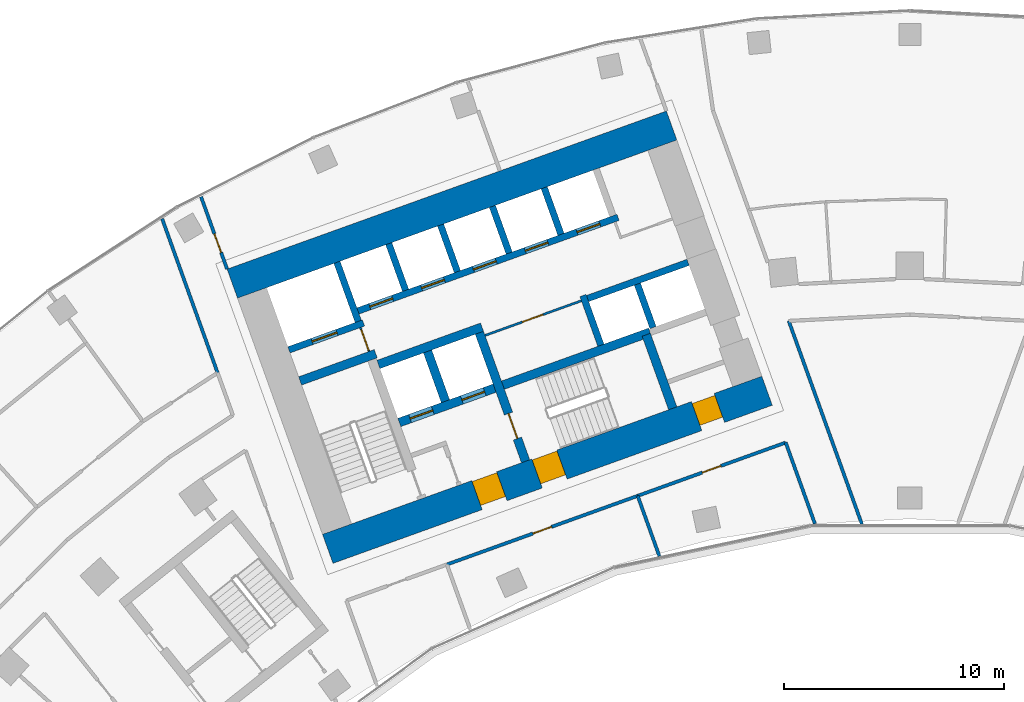
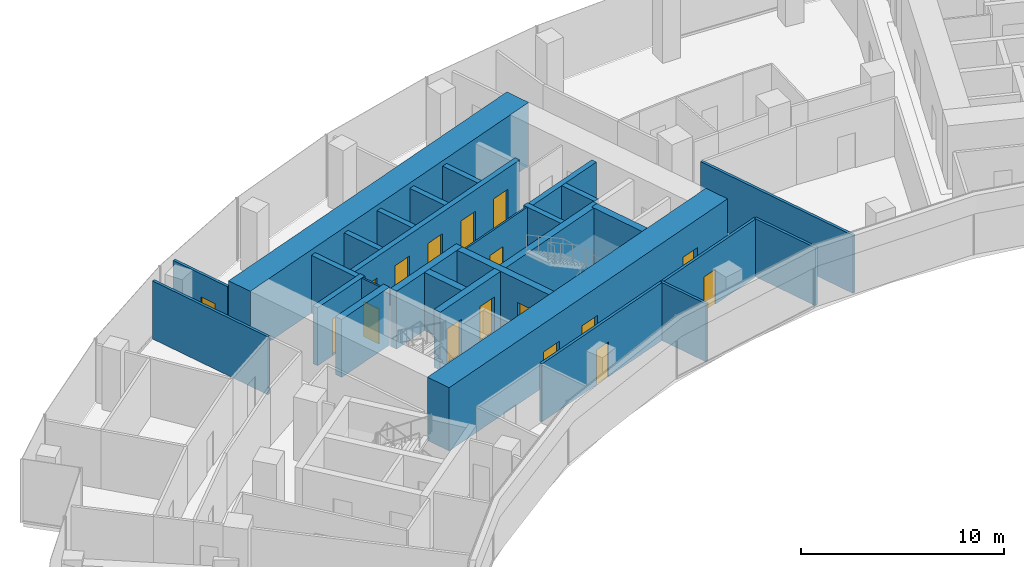
# One storey, part 14 of 20: 27 walls, 17 doors, 17 openings.
"""IFC4 building model written with IfcOpenShell, lengths in metres."""

from ifc_helpers import new_model, si_unit, direction, frame, frame_2d, origin, place, context, subcontext, project, spatial, rectangle, extrude, material, layer, layer_set, type_object, element, fill, save


model = new_model("IFC4")

# Units and contexts
model_context = context("Model", 3, precision=1e-05, world=origin(), true_north=direction((0.0, 1.0)))
body_context = subcontext(model_context, "Body", "Model", "MODEL_VIEW")
ifc_project = project(units=[si_unit("LENGTHUNIT", "METRE"), si_unit("AREAUNIT", "SQUARE_METRE"), si_unit("VOLUMEUNIT", "CUBIC_METRE"), si_unit("PLANEANGLEUNIT", "RADIAN"), si_unit("MASSUNIT", "GRAM", prefix="KILO")], contexts=[model_context])

# Site, building, storey
site_placement = place(None, origin())
site = spatial("IfcSite", under=ifc_project, at=site_placement, CompositionType="ELEMENT")
building_placement = place(site_placement, origin())
building = spatial("IfcBuilding", under=site, at=building_placement, Name="Stone Belt Terrace Tower", CompositionType="ELEMENT")
storey_placement = place(building_placement, frame((0.0, 0.0, 170.60009765625)))
storey = spatial("IfcBuildingStorey", under=building, at=storey_placement, Name="L41", CompositionType="ELEMENT", Elevation=170.60009765625)

# Wall, opening, door
ifc_material_1 = material(Name="Plasterboard partition")
ifc_layer_1 = layer(ifc_material_1, 0.10009765625)
ifc_layer_set_1 = layer_set([ifc_layer_1], Name="Core partition 100")
wall_type_1 = type_object("IfcWallType", Name="Core partition 100", PredefinedType="PARTITIONING", material=ifc_layer_set_1)
wall_1_placement = place(storey_placement, frame((-24.555908203125, 51.10400390625, 0.0), z_axis=(0.0, 0.0, 1.0), x_axis=(-0.338621735342, 0.94092258999, 0.0)))
wall_1 = element("IfcWall", 1, at=wall_1_placement, inside=storey, type_object=wall_type_1, Name="Core A wall", PredefinedType="PARTITIONING", context=body_context, shape_type="SweptSolid", body=[
    extrude(rectangle(XDim=1.14990234375, YDim=0.10009765625, at=frame_2d((0.574951171875, 0.0))), origin(), (0.0, 0.0, 1.0), 3.47998046875),
])
opening_1_placement = place(wall_1_placement, frame((0.050048828125, 0.0, 0.0)))
opening_1 = element("IfcOpeningElement", 2, at=opening_1_placement, cuts=wall_1, Name="Opening L41-C03", PredefinedType="OPENING", context=body_context, shape_type="SweptSolid", body=[
    extrude(rectangle(XDim=1.0, YDim=2.10009765625, at=frame_2d((0.5, 1.050048828125))), frame((0.0, 0.06005859375, 0.0), z_axis=(0.0, -1.0, 0.0), x_axis=(1.0, 0.0, 0.0)), (0.0, 0.0, 1.0), 0.1201171875),
])
ifc_material_2 = material(Name="Timber door leaf", Category="wood")
door_type_1 = type_object("IfcDoorType", Name="Core room door 1000", OperationType="SINGLE_SWING_LEFT", PredefinedType="DOOR", material=ifc_material_2)
door_1_placement = place(opening_1_placement, origin())
door_1 = element("IfcDoor", 3, at=door_1_placement, inside=storey, type_object=door_type_1, Name="Service lift lobby door core A", OperationType="SINGLE_SWING_RIGHT", OverallHeight=2.10009765625, OverallWidth=1.0, PredefinedType="DOOR", context=body_context, shape_type="SweptSolid", body=[
    extrude(rectangle(XDim=1.0, YDim=2.10009765625, at=frame_2d((0.5, 1.050048828125))), frame((0.0, 0.02490234375, 0.0), z_axis=(0.0, -1.0, 0.0), x_axis=(1.0, 0.0, 0.0)), (0.0, 0.0, 1.0), 0.050048828125),
])
fill(opening_1, door_1)

wall_2_placement = place(storey_placement, frame((-19.29052734375, 51.829833984375, 0.0), z_axis=(0.0, 0.0, 1.0), x_axis=(0.940930240745, 0.338600475563, 0.0)))
wall_2 = element("IfcWall", 4, at=wall_2_placement, inside=storey, type_object=wall_type_1, Name="Core A wall", PredefinedType="PARTITIONING", context=body_context, shape_type="SweptSolid", body=[
    extrude(rectangle(XDim=4.64990234375, YDim=0.10009765625, at=frame_2d((2.324951171875, 0.0))), origin(), (0.0, 0.0, 1.0), 3.47998046875),
])
opening_2_placement = place(wall_2_placement, frame((1.800048828125, 0.0, 0.0)))
opening_2 = element("IfcOpeningElement", 5, at=opening_2_placement, cuts=wall_2, Name="Opening L41-C02", PredefinedType="OPENING", context=body_context, shape_type="SweptSolid", body=[
    extrude(rectangle(XDim=1.0, YDim=2.10009765625, at=frame_2d((0.5, 1.050048828125))), frame((0.0, 0.06005859375, 0.0), z_axis=(0.0, -1.0, 0.0), x_axis=(1.0, 0.0, 0.0)), (0.0, 0.0, 1.0), 0.1201171875),
])
door_2_placement = place(opening_2_placement, origin())
door_2 = element("IfcDoor", 6, at=door_2_placement, inside=storey, type_object=door_type_1, Name="Door to Meeting store core A", OperationType="SINGLE_SWING_RIGHT", OverallHeight=2.10009765625, OverallWidth=1.0, PredefinedType="DOOR", context=body_context, shape_type="SweptSolid", body=[
    extrude(rectangle(XDim=1.0, YDim=2.10009765625, at=frame_2d((0.5, 1.050048828125))), frame((0.0, 0.02490234375, 0.0), z_axis=(0.0, -1.0, 0.0), x_axis=(1.0, 0.0, 0.0)), (0.0, 0.0, 1.0), 0.050048828125),
])
fill(opening_2, door_2)

# Wall, openings, doors
ifc_material_3 = material(Name="Concrete B80", Category="concrete")
ifc_layer_2 = layer(ifc_material_3, 1.39990234375)
ifc_layer_set_2 = layer_set([ifc_layer_2], Name="Core wall 1400 B80")
wall_type_2 = type_object("IfcWallType", Name="Core wall 1400 B80", PredefinedType="SHEAR", material=ifc_layer_set_2)
wall_3_placement = place(storey_placement, frame((-26.430908203125, 42.139404296875, 0.0), z_axis=(0.0, 0.0, 1.0), x_axis=(0.940923374003, 0.33861955681, 0.0)))
wall_3 = element("IfcWall", 7, at=wall_3_placement, inside=storey, type_object=wall_type_2, Name="Core A wall concave L41", PredefinedType="SHEAR", context=body_context, shape_type="SweptSolid", body=[
    extrude(rectangle(XDim=21.199951171875, YDim=1.39990234375, at=frame_2d((10.60009765625, 0.0))), origin(), (0.0, 0.0, 1.0), 3.7998046875),
])
opening_3_placement = place(wall_3_placement, frame((7.199951171875, 0.0, 0.0)))
opening_3 = element("IfcOpeningElement", 8, at=opening_3_placement, cuts=wall_3, Name="Opening L41-C07", PredefinedType="OPENING", context=body_context, shape_type="SweptSolid", body=[
    extrude(rectangle(XDim=1.199951171875, YDim=2.10009765625, at=frame_2d((0.60009765625, 1.050048828125))), frame((0.0, 0.7099609375, 0.0), z_axis=(0.0, -1.0, 0.0), x_axis=(1.0, 0.0, 0.0)), (0.0, 0.0, 1.0), 1.419921875),
])
opening_4_placement = place(wall_3_placement, frame((10.099853515625, 0.0, 0.0)))
opening_4 = element("IfcOpeningElement", 9, at=opening_4_placement, cuts=wall_3, Name="Opening L41-C09", PredefinedType="OPENING", context=body_context, shape_type="SweptSolid", body=[
    extrude(rectangle(XDim=1.199951171875, YDim=2.10009765625, at=frame_2d((0.60009765625, 1.050048828125))), frame((0.0, 0.7099609375, 0.0), z_axis=(0.0, -1.0, 0.0), x_axis=(1.0, 0.0, 0.0)), (0.0, 0.0, 1.0), 1.419921875),
])
opening_5_placement = place(wall_3_placement, frame((17.800048828125, 0.0, 0.0)))
opening_5 = element("IfcOpeningElement", 10, at=opening_5_placement, cuts=wall_3, Name="Opening L41-C11", PredefinedType="OPENING", context=body_context, shape_type="SweptSolid", body=[
    extrude(rectangle(XDim=1.10009765625, YDim=2.10009765625, at=frame_2d((0.550048828125, 1.050048828125))), frame((0.0, 0.7099609375, 0.0), z_axis=(0.0, -1.0, 0.0), x_axis=(1.0, 0.0, 0.0)), (0.0, 0.0, 1.0), 1.419921875),
])
door_type_2 = type_object("IfcDoorType", Name="Core room door 1100", OperationType="SINGLE_SWING_LEFT", PredefinedType="DOOR", material=ifc_material_2)
door_3_placement = place(opening_5_placement, origin())
door_3 = element("IfcDoor", 11, at=door_3_placement, inside=storey, type_object=door_type_2, Name="Door to Pipe riser core A", OperationType="SINGLE_SWING_RIGHT", OverallHeight=2.10009765625, OverallWidth=1.10009765625, PredefinedType="DOOR", context=body_context, shape_type="SweptSolid", body=[
    extrude(rectangle(XDim=1.10009765625, YDim=2.10009765625, at=frame_2d((0.550048828125, 1.050048828125))), frame((0.0, 0.60498046875, 0.0), z_axis=(0.0, -1.0, 0.0), x_axis=(1.0, 0.0, 0.0)), (0.0, 0.0, 1.0), 1.050048828125),
])
fill(opening_5, door_3)
ifc_material_4 = material(Name="Steel door leaf", Category="steel")
door_type_3 = type_object("IfcDoorType", Name="Fire-fighting lobby door 1200", OperationType="SINGLE_SWING_LEFT", PredefinedType="DOOR", material=ifc_material_4)
door_4_placement = place(opening_3_placement, origin())
door_4 = element("IfcDoor", 12, at=door_4_placement, inside=storey, type_object=door_type_3, Name="Fire-fighting lobby door core A", OperationType="SINGLE_SWING_RIGHT", OverallHeight=2.10009765625, OverallWidth=1.199951171875, PredefinedType="DOOR", context=body_context, shape_type="SweptSolid", body=[
    extrude(rectangle(XDim=1.199951171875, YDim=2.10009765625, at=frame_2d((0.60009765625, 1.050048828125))), frame((0.0, 0.655029296875, 0.0), z_axis=(0.0, -1.0, 0.0), x_axis=(1.0, 0.0, 0.0)), (0.0, 0.0, 1.0), 1.14990234375),
])
fill(opening_3, door_4)
door_type_4 = type_object("IfcDoorType", Name="Stair door 1200", OperationType="SINGLE_SWING_LEFT", PredefinedType="DOOR", material=ifc_material_4)
door_5_placement = place(opening_4_placement, origin())
door_5 = element("IfcDoor", 13, at=door_5_placement, inside=storey, type_object=door_type_4, Name="Stair 2 exit door core A", OperationType="SINGLE_SWING_LEFT", OverallHeight=2.10009765625, OverallWidth=1.199951171875, PredefinedType="DOOR", context=body_context, shape_type="SweptSolid", body=[
    extrude(rectangle(XDim=1.199951171875, YDim=2.10009765625, at=frame_2d((0.60009765625, 1.050048828125))), frame((0.0, 0.655029296875, 0.0), z_axis=(0.0, -1.0, 0.0), x_axis=(1.0, 0.0, 0.0)), (0.0, 0.0, 1.0), 1.14990234375),
])
fill(opening_4, door_5)

# Walls
wall_4_placement = place(storey_placement, frame((-30.765380859375, 54.18310546875, 0.0), z_axis=(0.0, 0.0, 1.0), x_axis=(0.940919704758, 0.338629752382, 0.0)))
element("IfcWall", 14, at=wall_4_placement, inside=storey, type_object=wall_type_2, Name="Core A wall convex L41", PredefinedType="SHEAR", context=body_context, shape_type="SweptSolid", body=[
    extrude(rectangle(XDim=21.199951171875, YDim=1.39990234375, at=frame_2d((10.60009765625, 0.0))), origin(), (0.0, 0.0, 1.0), 3.7998046875),
])
ifc_layer_3 = layer(ifc_material_3, 0.39990234375)
ifc_layer_set_3 = layer_set([ifc_layer_3], Name="Fire-fighting lift shaft wall 400")
wall_type_3 = type_object("IfcWallType", Name="Fire-fighting lift shaft wall 400", PredefinedType="SHEAR", material=ifc_layer_set_3)
wall_5_placement = place(storey_placement, frame((-24.130615234375, 50.512939453125, 0.0), z_axis=(0.0, 0.0, 1.0), x_axis=(0.94091168377, 0.338652038744, 0.0)))
element("IfcWall", 15, at=wall_5_placement, inside=storey, type_object=wall_type_3, Name="Core A wall", PredefinedType="SHEAR", context=body_context, shape_type="SweptSolid", body=[
    extrude(rectangle(XDim=5.000244140625, YDim=0.39990234375, at=frame_2d((2.5, 0.0))), origin(), (0.0, 0.0, 1.0), 3.47998046875),
])
wall_6_placement = place(storey_placement, frame((-21.0859375, 48.845458984375, 0.0), z_axis=(0.0, 0.0, 1.0), x_axis=(-0.338629416206, 0.940919825745, 0.0)))
element("IfcWall", 16, at=wall_6_placement, inside=storey, type_object=wall_type_3, Name="Core A wall", PredefinedType="SHEAR", context=body_context, shape_type="SweptSolid", body=[
    extrude(rectangle(XDim=2.400146484375, YDim=0.39990234375, at=frame_2d((1.2001953125, 0.0))), origin(), (0.0, 0.0, 1.0), 3.47998046875),
])

# Wall, opening, door
ifc_layer_4 = layer(ifc_material_3, 0.300048828125)
ifc_layer_set_4 = layer_set([ifc_layer_4], Name="Lift shaft wall 300")
wall_type_4 = type_object("IfcWallType", Name="Lift shaft wall 300", PredefinedType="SHEAR", material=ifc_layer_set_4)
wall_7_placement = place(storey_placement, frame((-28.195068359375, 51.17578125, 0.0), z_axis=(0.0, 0.0, 1.0), x_axis=(0.940901243567, 0.338681044427, 0.0)))
wall_7 = element("IfcWall", 17, at=wall_7_placement, inside=storey, type_object=wall_type_4, Name="Core A wall", PredefinedType="SHEAR", context=body_context, shape_type="SweptSolid", body=[
    extrude(rectangle(XDim=3.599853515625, YDim=0.300048828125, at=frame_2d((1.7998046875, 0.0))), origin(), (0.0, 0.0, 1.0), 3.47998046875),
])
opening_6_placement = place(wall_7_placement, frame((1.1201171875, 0.0, 0.0)))
opening_6 = element("IfcOpeningElement", 18, at=opening_6_placement, cuts=wall_7, Name="Opening L41-LD08", PredefinedType="OPENING", context=body_context, shape_type="SweptSolid", body=[
    extrude(rectangle(XDim=1.199951171875, YDim=2.199951171875, at=frame_2d((0.60009765625, 1.10009765625))), frame((0.0, 0.159912109375, 0.0), z_axis=(0.0, -1.0, 0.0), x_axis=(1.0, 0.0, 0.0)), (0.0, 0.0, 1.0), 0.320068359375),
])
ifc_material_5 = material(Name="Stainless steel door leaf", Category="steel")
door_type_5 = type_object("IfcDoorType", Name="Landing door 1200", OperationType="SLIDING_TO_LEFT", PredefinedType="DOOR", material=ifc_material_5)
door_6_placement = place(opening_6_placement, origin())
door_6 = element("IfcDoor", 19, at=door_6_placement, inside=storey, type_object=door_type_5, Name="Landing door SV1 core A", OperationType="SLIDING_TO_LEFT", OverallHeight=2.199951171875, OverallWidth=1.199951171875, PredefinedType="DOOR", context=body_context, shape_type="SweptSolid", body=[
    extrude(rectangle(XDim=1.199951171875, YDim=2.199951171875, at=frame_2d((0.60009765625, 1.10009765625))), frame((0.0, 0.02490234375, 0.0), z_axis=(0.0, -1.0, 0.0), x_axis=(1.0, 0.0, 0.0)), (0.0, 0.0, 1.0), 0.050048828125),
])
fill(opening_6, door_6)

# Wall
wall_8_placement = place(storey_placement, frame((-25.046875, 52.46826171875, 0.0), z_axis=(0.0, 0.0, 1.0), x_axis=(-0.338549588058, 0.940948551423, 0.0)))
element("IfcWall", 20, at=wall_8_placement, inside=storey, type_object=wall_type_4, Name="Core A wall", PredefinedType="SHEAR", context=body_context, shape_type="SweptSolid", body=[
    extrude(rectangle(XDim=2.849853515625, YDim=0.300048828125, at=frame_2d((1.4248046875, 0.0))), origin(), (0.0, 0.0, 1.0), 3.47998046875),
])

# Wall, openings, doors
wall_9_placement = place(storey_placement, frame((-25.05810546875, 52.9423828125, 0.0), z_axis=(0.0, 0.0, 1.0), x_axis=(0.940921381676, 0.338625092847, 0.0)))
wall_9 = element("IfcWall", 21, at=wall_9_placement, inside=storey, type_object=wall_type_4, Name="Core A wall", PredefinedType="SHEAR", context=body_context, shape_type="SweptSolid", body=[
    extrude(rectangle(XDim=12.550048828125, YDim=0.300048828125, at=frame_2d((6.27490234375, 0.0))), origin(), (0.0, 0.0, 1.0), 3.47998046875),
])
opening_7_placement = place(wall_9_placement, frame((0.570068359375, 0.0, 0.0)))
opening_7 = element("IfcOpeningElement", 22, at=opening_7_placement, cuts=wall_9, Name="Opening L41-LD01", PredefinedType="OPENING", context=body_context, shape_type="SweptSolid", body=[
    extrude(rectangle(XDim=1.10009765625, YDim=2.199951171875, at=frame_2d((0.550048828125, 1.10009765625))), frame((0.0, 0.159912109375, 0.0), z_axis=(0.0, -1.0, 0.0), x_axis=(1.0, 0.0, 0.0)), (0.0, 0.0, 1.0), 0.320068359375),
])
opening_8_placement = place(wall_9_placement, frame((3.070068359375, 0.0, 0.0)))
opening_8 = element("IfcOpeningElement", 23, at=opening_8_placement, cuts=wall_9, Name="Opening L41-LD02", PredefinedType="OPENING", context=body_context, shape_type="SweptSolid", body=[
    extrude(rectangle(XDim=1.10009765625, YDim=2.199951171875, at=frame_2d((0.550048828125, 1.10009765625))), frame((0.0, 0.159912109375, 0.0), z_axis=(0.0, -1.0, 0.0), x_axis=(1.0, 0.0, 0.0)), (0.0, 0.0, 1.0), 0.320068359375),
])
opening_9_placement = place(wall_9_placement, frame((5.570068359375, 0.0, 0.0)))
opening_9 = element("IfcOpeningElement", 24, at=opening_9_placement, cuts=wall_9, Name="Opening L41-LD03", PredefinedType="OPENING", context=body_context, shape_type="SweptSolid", body=[
    extrude(rectangle(XDim=1.10009765625, YDim=2.199951171875, at=frame_2d((0.550048828125, 1.10009765625))), frame((0.0, 0.159912109375, 0.0), z_axis=(0.0, -1.0, 0.0), x_axis=(1.0, 0.0, 0.0)), (0.0, 0.0, 1.0), 0.320068359375),
])
opening_10_placement = place(wall_9_placement, frame((8.070068359375, 0.0, 0.0)))
opening_10 = element("IfcOpeningElement", 25, at=opening_10_placement, cuts=wall_9, Name="Opening L41-LD04", PredefinedType="OPENING", context=body_context, shape_type="SweptSolid", body=[
    extrude(rectangle(XDim=1.10009765625, YDim=2.199951171875, at=frame_2d((0.550048828125, 1.10009765625))), frame((0.0, 0.159912109375, 0.0), z_axis=(0.0, -1.0, 0.0), x_axis=(1.0, 0.0, 0.0)), (0.0, 0.0, 1.0), 0.320068359375),
])
opening_11_placement = place(wall_9_placement, frame((10.570068359375, 0.0, 0.0)))
opening_11 = element("IfcOpeningElement", 26, at=opening_11_placement, cuts=wall_9, Name="Opening L41-LD05", PredefinedType="OPENING", context=body_context, shape_type="SweptSolid", body=[
    extrude(rectangle(XDim=1.10009765625, YDim=2.199951171875, at=frame_2d((0.550048828125, 1.10009765625))), frame((0.0, 0.159912109375, 0.0), z_axis=(0.0, -1.0, 0.0), x_axis=(1.0, 0.0, 0.0)), (0.0, 0.0, 1.0), 0.320068359375),
])
door_type_6 = type_object("IfcDoorType", Name="Landing door 1100", OperationType="SLIDING_TO_LEFT", PredefinedType="DOOR", material=ifc_material_5)
door_7_placement = place(opening_7_placement, origin())
door_7 = element("IfcDoor", 27, at=door_7_placement, inside=storey, type_object=door_type_6, Name="Landing door MR1 core A", OperationType="SLIDING_TO_LEFT", OverallHeight=2.199951171875, OverallWidth=1.10009765625, PredefinedType="DOOR", context=body_context, shape_type="SweptSolid", body=[
    extrude(rectangle(XDim=1.10009765625, YDim=2.199951171875, at=frame_2d((0.550048828125, 1.10009765625))), frame((0.0, 0.02490234375, 0.0), z_axis=(0.0, -1.0, 0.0), x_axis=(1.0, 0.0, 0.0)), (0.0, 0.0, 1.0), 0.050048828125),
])
fill(opening_7, door_7)
door_8_placement = place(opening_8_placement, origin())
door_8 = element("IfcDoor", 28, at=door_8_placement, inside=storey, type_object=door_type_6, Name="Landing door MR2 core A", OperationType="SLIDING_TO_LEFT", OverallHeight=2.199951171875, OverallWidth=1.10009765625, PredefinedType="DOOR", context=body_context, shape_type="SweptSolid", body=[
    extrude(rectangle(XDim=1.10009765625, YDim=2.199951171875, at=frame_2d((0.550048828125, 1.10009765625))), frame((0.0, 0.02490234375, 0.0), z_axis=(0.0, -1.0, 0.0), x_axis=(1.0, 0.0, 0.0)), (0.0, 0.0, 1.0), 0.050048828125),
])
fill(opening_8, door_8)
door_9_placement = place(opening_9_placement, origin())
door_9 = element("IfcDoor", 29, at=door_9_placement, inside=storey, type_object=door_type_6, Name="Landing door MR3 core A", OperationType="SLIDING_TO_LEFT", OverallHeight=2.199951171875, OverallWidth=1.10009765625, PredefinedType="DOOR", context=body_context, shape_type="SweptSolid", body=[
    extrude(rectangle(XDim=1.10009765625, YDim=2.199951171875, at=frame_2d((0.550048828125, 1.10009765625))), frame((0.0, 0.02490234375, 0.0), z_axis=(0.0, -1.0, 0.0), x_axis=(1.0, 0.0, 0.0)), (0.0, 0.0, 1.0), 0.050048828125),
])
fill(opening_9, door_9)
door_10_placement = place(opening_10_placement, origin())
door_10 = element("IfcDoor", 30, at=door_10_placement, inside=storey, type_object=door_type_6, Name="Landing door MR4 core A", OperationType="SLIDING_TO_LEFT", OverallHeight=2.199951171875, OverallWidth=1.10009765625, PredefinedType="DOOR", context=body_context, shape_type="SweptSolid", body=[
    extrude(rectangle(XDim=1.10009765625, YDim=2.199951171875, at=frame_2d((0.550048828125, 1.10009765625))), frame((0.0, 0.02490234375, 0.0), z_axis=(0.0, -1.0, 0.0), x_axis=(1.0, 0.0, 0.0)), (0.0, 0.0, 1.0), 0.050048828125),
])
fill(opening_10, door_10)
door_11_placement = place(opening_11_placement, origin())
door_11 = element("IfcDoor", 31, at=door_11_placement, inside=storey, type_object=door_type_6, Name="Landing door MR5 core A", OperationType="SLIDING_TO_LEFT", OverallHeight=2.199951171875, OverallWidth=1.10009765625, PredefinedType="DOOR", context=body_context, shape_type="SweptSolid", body=[
    extrude(rectangle(XDim=1.10009765625, YDim=2.199951171875, at=frame_2d((0.550048828125, 1.10009765625))), frame((0.0, 0.02490234375, 0.0), z_axis=(0.0, -1.0, 0.0), x_axis=(1.0, 0.0, 0.0)), (0.0, 0.0, 1.0), 0.050048828125),
])
fill(opening_11, door_11)

# Walls
wall_10_placement = place(storey_placement, frame((-22.897705078125, 53.87939453125, 0.0), z_axis=(0.0, 0.0, 1.0), x_axis=(-0.338535034312, 0.940953787677, 0.0)))
element("IfcWall", 32, at=wall_10_placement, inside=storey, type_object=wall_type_4, Name="Core A wall", PredefinedType="SHEAR", context=body_context, shape_type="SweptSolid", body=[
    extrude(rectangle(XDim=2.25, YDim=0.300048828125, at=frame_2d((1.125, 0.0))), origin(), (0.0, 0.0, 1.0), 3.47998046875),
])
wall_11_placement = place(storey_placement, frame((-20.54541015625, 54.72607421875, 0.0), z_axis=(0.0, 0.0, 1.0), x_axis=(-0.338569601369, 0.940941350472, 0.0)))
element("IfcWall", 33, at=wall_11_placement, inside=storey, type_object=wall_type_4, Name="Core A wall", PredefinedType="SHEAR", context=body_context, shape_type="SweptSolid", body=[
    extrude(rectangle(XDim=2.249755859375, YDim=0.300048828125, at=frame_2d((1.125, 0.0))), origin(), (0.0, 0.0, 1.0), 3.47998046875),
])
wall_12_placement = place(storey_placement, frame((-18.193115234375, 55.572509765625, 0.0), z_axis=(0.0, 0.0, 1.0), x_axis=(-0.338535034312, 0.940953787677, 0.0)))
element("IfcWall", 34, at=wall_12_placement, inside=storey, type_object=wall_type_4, Name="Core A wall", PredefinedType="SHEAR", context=body_context, shape_type="SweptSolid", body=[
    extrude(rectangle(XDim=2.25, YDim=0.300048828125, at=frame_2d((1.125, 0.0))), origin(), (0.0, 0.0, 1.0), 3.47998046875),
])
wall_13_placement = place(storey_placement, frame((-14.029052734375, 51.38525390625, 0.0), z_axis=(0.0, 0.0, 1.0), x_axis=(-0.338661829791, 0.940908159728, 0.0)))
element("IfcWall", 35, at=wall_13_placement, inside=storey, type_object=wall_type_4, Name="Core A wall", PredefinedType="SHEAR", context=body_context, shape_type="SweptSolid", body=[
    extrude(rectangle(XDim=2.39990234375, YDim=0.300048828125, at=frame_2d((1.199951171875, 0.0))), origin(), (0.0, 0.0, 1.0), 3.47998046875),
])
wall_14_placement = place(storey_placement, frame((-14.6328125, 53.506103515625, 0.0), z_axis=(0.0, 0.0, 1.0), x_axis=(0.940931684323, 0.338596464007, 0.0)))
element("IfcWall", 36, at=wall_14_placement, inside=storey, type_object=wall_type_4, Name="Core A wall", PredefinedType="SHEAR", context=body_context, shape_type="SweptSolid", body=[
    extrude(rectangle(XDim=4.849609375, YDim=0.300048828125, at=frame_2d((2.4248046875, 0.0))), origin(), (0.0, 0.0, 1.0), 3.47998046875),
])
wall_15_placement = place(storey_placement, frame((-15.8408203125, 56.419189453125, 0.0), z_axis=(0.0, 0.0, 1.0), x_axis=(-0.338569601369, 0.940941350472, 0.0)))
element("IfcWall", 37, at=wall_15_placement, inside=storey, type_object=wall_type_4, Name="Core A wall", PredefinedType="SHEAR", context=body_context, shape_type="SweptSolid", body=[
    extrude(rectangle(XDim=2.249755859375, YDim=0.300048828125, at=frame_2d((1.125, 0.0))), origin(), (0.0, 0.0, 1.0), 3.47998046875),
])
wall_16_placement = place(storey_placement, frame((-11.659912109375, 52.184814453125, 0.0), z_axis=(0.0, 0.0, 1.0), x_axis=(-0.338670064856, 0.940905195634, 0.0)))
element("IfcWall", 38, at=wall_16_placement, inside=storey, type_object=wall_type_4, Name="Core A wall", PredefinedType="SHEAR", context=body_context, shape_type="SweptSolid", body=[
    extrude(rectangle(XDim=2.099853515625, YDim=0.300048828125, at=frame_2d((1.0498046875, 0.0))), origin(), (0.0, 0.0, 1.0), 3.47998046875),
])

# Wall, opening, door
ifc_material_6 = material(Name="Gypsum board partition")
ifc_layer_5 = layer(ifc_material_6, 0.14990234375)
ifc_layer_set_5 = layer_set([ifc_layer_5], Name="PARTITION 150 EI 60")
wall_type_5 = type_object("IfcWallType", Name="PARTITION 150 EI 60", PredefinedType="PARTITIONING", material=ifc_layer_set_5)
wall_17_placement = place(storey_placement, frame((-32.185791015625, 58.131103515625, 0.0), z_axis=(0.0, 0.0, 1.0), x_axis=(0.338662585219, -0.940907887826, 0.0)))
wall_17 = element("IfcWall", 39, at=wall_17_placement, inside=storey, type_object=wall_type_5, Name="L41/wall/i002", PredefinedType="PARTITIONING", context=body_context, shape_type="SweptSolid", body=[
    extrude(rectangle(XDim=3.49560546875, YDim=0.14990234375, at=frame_2d((1.747802734375, 0.0))), origin(), (0.0, 0.0, 1.0), 3.47998046875),
])
opening_12_placement = place(wall_17_placement, frame((1.796630859375, 0.0, 0.0)))
opening_12 = element("IfcOpeningElement", 40, at=opening_12_placement, cuts=wall_17, Name="Opening D-C3-04", PredefinedType="OPENING", context=body_context, shape_type="SweptSolid", body=[
    extrude(rectangle(XDim=0.89990234375, YDim=2.10009765625, at=frame_2d((0.449951171875, 1.050048828125))), frame((0.0, 0.0849609375, 0.0), z_axis=(0.0, -1.0, 0.0), x_axis=(1.0, 0.0, 0.0)), (0.0, 0.0, 1.0), 0.169921875),
])
door_type_7 = type_object("IfcDoorType", Name="OFFICE DOOR 900 X 2100", OperationType="NOTDEFINED", PredefinedType="DOOR", material=ifc_material_2)
door_12_placement = place(opening_12_placement, origin())
door_12 = element("IfcDoor", 41, at=door_12_placement, inside=storey, type_object=door_type_7, Name="L41/door/i04", OperationType="SINGLE_SWING_RIGHT", OverallHeight=2.10009765625, OverallWidth=0.89990234375, PredefinedType="DOOR", context=body_context, shape_type="SweptSolid", body=[
    extrude(rectangle(XDim=0.89990234375, YDim=2.10009765625, at=frame_2d((0.449951171875, 1.050048828125))), frame((0.0, 0.02490234375, 0.0), z_axis=(0.0, -1.0, 0.0), x_axis=(1.0, 0.0, 0.0)), (0.0, 0.0, 1.0), 0.050048828125),
])
fill(opening_12, door_12)

# Walls
wall_18_placement = place(storey_placement, frame((-31.431884765625, 50.12890625, 0.0), z_axis=(0.0, 0.0, 1.0), x_axis=(-0.338627692375, 0.940920446136, 0.0)))
element("IfcWall", 42, at=wall_18_placement, inside=storey, type_object=wall_type_5, Name="L41/wall/i007", PredefinedType="PARTITIONING", context=body_context, shape_type="SweptSolid", body=[
    extrude(rectangle(XDim=7.44189453125, YDim=0.14990234375, at=frame_2d((3.720947265625, 0.0))), origin(), (0.0, 0.0, 1.0), 3.47998046875),
])
wall_19_placement = place(storey_placement, frame((-4.31005859375, 43.27880859375, 0.0), z_axis=(0.0, 0.0, 1.0), x_axis=(-0.338569683937, 0.940941320763, 0.0)))
element("IfcWall", 43, at=wall_19_placement, inside=storey, type_object=wall_type_5, Name="L41/wall/i008", PredefinedType="PARTITIONING", context=body_context, shape_type="SweptSolid", body=[
    extrude(rectangle(XDim=3.9248046875, YDim=0.14990234375, at=frame_2d((1.96240234375, 0.0))), origin(), (0.0, 0.0, 1.0), 3.47998046875),
])
wall_20_placement = place(storey_placement, frame((-5.5009765625, 52.492919921875, 0.0), z_axis=(0.0, 0.0, 1.0), x_axis=(0.338654259988, -0.940910884299, 0.0)))
element("IfcWall", 44, at=wall_20_placement, inside=storey, type_object=wall_type_5, Name="L41/wall/i010", PredefinedType="PARTITIONING", context=body_context, shape_type="SweptSolid", body=[
    extrude(rectangle(XDim=9.81103515625, YDim=0.14990234375, at=frame_2d((4.905517578125, 0.0))), origin(), (0.0, 0.0, 1.0), 3.47998046875),
])

# Wall, opening, door
wall_21_placement = place(storey_placement, frame((-12.35302734375, 44.549072265625, 0.0), z_axis=(0.0, 0.0, 1.0), x_axis=(-0.940920151375, -0.338628511406, 0.0)))
wall_21 = element("IfcWall", 45, at=wall_21_placement, inside=storey, type_object=wall_type_5, Name="L41/wall/i015", PredefinedType="PARTITIONING", context=body_context, shape_type="SweptSolid", body=[
    extrude(rectangle(XDim=9.2197265625, YDim=0.14990234375, at=frame_2d((4.60986328125, 0.0))), origin(), (0.0, 0.0, 1.0), 3.47998046875),
])
opening_13_placement = place(wall_21_placement, frame((4.159912109375, 0.0, 0.0)))
opening_13 = element("IfcOpeningElement", 46, at=opening_13_placement, cuts=wall_21, Name="Opening D-C3-02", PredefinedType="OPENING", context=body_context, shape_type="SweptSolid", body=[
    extrude(rectangle(XDim=0.89990234375, YDim=2.10009765625, at=frame_2d((0.449951171875, 1.050048828125))), frame((0.0, 0.0849609375, 0.0), z_axis=(0.0, -1.0, 0.0), x_axis=(1.0, 0.0, 0.0)), (0.0, 0.0, 1.0), 0.169921875),
])
door_13_placement = place(opening_13_placement, origin())
door_13 = element("IfcDoor", 47, at=door_13_placement, inside=storey, type_object=door_type_7, Name="L41/door/i02", OperationType="SINGLE_SWING_RIGHT", OverallHeight=2.10009765625, OverallWidth=0.89990234375, PredefinedType="DOOR", context=body_context, shape_type="SweptSolid", body=[
    extrude(rectangle(XDim=0.89990234375, YDim=2.10009765625, at=frame_2d((0.449951171875, 1.050048828125))), frame((0.0, 0.02490234375, 0.0), z_axis=(0.0, -1.0, 0.0), x_axis=(1.0, 0.0, 0.0)), (0.0, 0.0, 1.0), 0.050048828125),
])
fill(opening_13, door_13)

wall_22_placement = place(storey_placement, frame((-5.636962890625, 46.966064453125, 0.0), z_axis=(0.0, 0.0, 1.0), x_axis=(-0.940929624634, -0.338602187658, 0.0)))
wall_22 = element("IfcWall", 48, at=wall_22_placement, inside=storey, type_object=wall_type_5, Name="L41/wall/i016", PredefinedType="PARTITIONING", context=body_context, shape_type="SweptSolid", body=[
    extrude(rectangle(XDim=7.150390625, YDim=0.14990234375, at=frame_2d((3.5751953125, 0.0))), origin(), (0.0, 0.0, 1.0), 3.47998046875),
])
opening_14_placement = place(wall_22_placement, frame((3.125244140625, 0.0, 0.0)))
opening_14 = element("IfcOpeningElement", 49, at=opening_14_placement, cuts=wall_22, Name="Opening D-C3-03", PredefinedType="OPENING", context=body_context, shape_type="SweptSolid", body=[
    extrude(rectangle(XDim=0.89990234375, YDim=2.10009765625, at=frame_2d((0.449951171875, 1.050048828125))), frame((0.0, 0.0849609375, 0.0), z_axis=(0.0, -1.0, 0.0), x_axis=(1.0, 0.0, 0.0)), (0.0, 0.0, 1.0), 0.169921875),
])
door_14_placement = place(opening_14_placement, origin())
door_14 = element("IfcDoor", 50, at=door_14_placement, inside=storey, type_object=door_type_7, Name="L41/door/i03", OperationType="SINGLE_SWING_RIGHT", OverallHeight=2.10009765625, OverallWidth=0.89990234375, PredefinedType="DOOR", context=body_context, shape_type="SweptSolid", body=[
    extrude(rectangle(XDim=0.89990234375, YDim=2.10009765625, at=frame_2d((0.449951171875, 1.050048828125))), frame((0.0, 0.02490234375, 0.0), z_axis=(0.0, -1.0, 0.0), x_axis=(1.0, 0.0, 0.0)), (0.0, 0.0, 1.0), 0.050048828125),
])
fill(opening_14, door_14)

# Walls
wall_23_placement = place(storey_placement, frame((-12.35888671875, 44.547119140625, 0.0), z_axis=(0.0, 0.0, 1.0), x_axis=(0.338478671249, -0.940974063994, 0.0)))
element("IfcWall", 51, at=wall_23_placement, inside=storey, type_object=wall_type_5, Name="L41/wall/i018", PredefinedType="PARTITIONING", context=body_context, shape_type="SweptSolid", body=[
    extrude(rectangle(XDim=2.908203125, YDim=0.14990234375, at=frame_2d((1.4541015625, 0.0))), origin(), (0.0, 0.0, 1.0), 3.47998046875),
])
ifc_layer_6 = layer(ifc_material_3, 0.39990234375)
ifc_layer_set_6 = layer_set([ifc_layer_6], Name="Stair enclosure wall 400")
wall_type_6 = type_object("IfcWallType", Name="Stair enclosure wall 400", PredefinedType="SHEAR", material=ifc_layer_set_6)
wall_24_placement = place(storey_placement, frame((-27.687255859375, 49.764404296875, 0.0), z_axis=(0.0, 0.0, 1.0), x_axis=(0.940918954884, 0.338631835981, 0.0)))
element("IfcWall", 52, at=wall_24_placement, inside=storey, type_object=wall_type_6, Name="Core A wall", PredefinedType="SHEAR", context=body_context, shape_type="SweptSolid", body=[
    extrude(rectangle(XDim=3.650146484375, YDim=0.39990234375, at=frame_2d((1.8251953125, 0.0))), origin(), (0.0, 0.0, 1.0), 3.47998046875),
])

# Wall, openings, doors
wall_25_placement = place(storey_placement, frame((-23.182373046875, 47.87841796875, 0.0), z_axis=(0.0, 0.0, 1.0), x_axis=(0.940921101762, 0.338625870628, 0.0)))
wall_25 = element("IfcWall", 53, at=wall_25_placement, inside=storey, type_object=wall_type_6, Name="Core A wall", PredefinedType="SHEAR", context=body_context, shape_type="SweptSolid", body=[
    extrude(rectangle(XDim=12.10009765625, YDim=0.39990234375, at=frame_2d((6.050048828125, 0.0))), origin(), (0.0, 0.0, 1.0), 3.47998046875),
])
opening_15_placement = place(wall_25_placement, frame((0.52001953125, 0.0, 0.0)))
opening_15 = element("IfcOpeningElement", 54, at=opening_15_placement, cuts=wall_25, Name="Opening L41-LD06", PredefinedType="OPENING", context=body_context, shape_type="SweptSolid", body=[
    extrude(rectangle(XDim=1.10009765625, YDim=2.199951171875, at=frame_2d((0.550048828125, 1.10009765625))), frame((0.0, 0.2099609375, 0.0), z_axis=(0.0, -1.0, 0.0), x_axis=(1.0, 0.0, 0.0)), (0.0, 0.0, 1.0), 0.419921875),
])
opening_16_placement = place(wall_25_placement, frame((3.02001953125, 0.0, 0.0)))
opening_16 = element("IfcOpeningElement", 55, at=opening_16_placement, cuts=wall_25, Name="Opening L41-LD07", PredefinedType="OPENING", context=body_context, shape_type="SweptSolid", body=[
    extrude(rectangle(XDim=1.10009765625, YDim=2.199951171875, at=frame_2d((0.550048828125, 1.10009765625))), frame((0.0, 0.2099609375, 0.0), z_axis=(0.0, -1.0, 0.0), x_axis=(1.0, 0.0, 0.0)), (0.0, 0.0, 1.0), 0.419921875),
])
door_15_placement = place(opening_15_placement, origin())
door_15 = element("IfcDoor", 56, at=door_15_placement, inside=storey, type_object=door_type_6, Name="Landing door FF1 core A", OperationType="SLIDING_TO_LEFT", OverallHeight=2.199951171875, OverallWidth=1.10009765625, PredefinedType="DOOR", context=body_context, shape_type="SweptSolid", body=[
    extrude(rectangle(XDim=1.10009765625, YDim=2.199951171875, at=frame_2d((0.550048828125, 1.10009765625))), frame((0.0, 0.02490234375, 0.0), z_axis=(0.0, -1.0, 0.0), x_axis=(1.0, 0.0, 0.0)), (0.0, 0.0, 1.0), 0.050048828125),
])
fill(opening_15, door_15)
door_16_placement = place(opening_16_placement, origin())
door_16 = element("IfcDoor", 57, at=door_16_placement, inside=storey, type_object=door_type_6, Name="Landing door FF2 core A", OperationType="SLIDING_TO_LEFT", OverallHeight=2.199951171875, OverallWidth=1.10009765625, PredefinedType="DOOR", context=body_context, shape_type="SweptSolid", body=[
    extrude(rectangle(XDim=1.10009765625, YDim=2.199951171875, at=frame_2d((0.550048828125, 1.10009765625))), frame((0.0, 0.02490234375, 0.0), z_axis=(0.0, -1.0, 0.0), x_axis=(1.0, 0.0, 0.0)), (0.0, 0.0, 1.0), 0.050048828125),
])
fill(opening_16, door_16)

# Wall, opening, door
wall_26_placement = place(storey_placement, frame((-17.447021484375, 46.116455078125, 0.0), z_axis=(0.0, 0.0, 1.0), x_axis=(-0.33860791464, 0.940927563707, 0.0)))
wall_26 = element("IfcWall", 58, at=wall_26_placement, inside=storey, type_object=wall_type_6, Name="Core A wall", PredefinedType="SHEAR", context=body_context, shape_type="SweptSolid", body=[
    extrude(rectangle(XDim=6.199951171875, YDim=0.39990234375, at=frame_2d((3.10009765625, 0.0))), origin(), (0.0, 0.0, 1.0), 3.47998046875),
])
opening_17_placement = place(wall_26_placement, frame((1.10009765625, 0.0, 0.0)))
opening_17 = element("IfcOpeningElement", 59, at=opening_17_placement, cuts=wall_26, Name="Opening L41-C08", PredefinedType="OPENING", context=body_context, shape_type="SweptSolid", body=[
    extrude(rectangle(XDim=1.199951171875, YDim=2.10009765625, at=frame_2d((0.60009765625, 1.050048828125))), frame((0.0, 0.2099609375, 0.0), z_axis=(0.0, -1.0, 0.0), x_axis=(1.0, 0.0, 0.0)), (0.0, 0.0, 1.0), 0.419921875),
])
door_17_placement = place(opening_17_placement, origin())
door_17 = element("IfcDoor", 60, at=door_17_placement, inside=storey, type_object=door_type_4, Name="Stair 2 door core A", OperationType="SINGLE_SWING_RIGHT", OverallHeight=2.10009765625, OverallWidth=1.199951171875, PredefinedType="DOOR", context=body_context, shape_type="SweptSolid", body=[
    extrude(rectangle(XDim=1.199951171875, YDim=2.10009765625, at=frame_2d((0.60009765625, 1.050048828125))), frame((0.0, 0.02490234375, 0.0), z_axis=(0.0, -1.0, 0.0), x_axis=(1.0, 0.0, 0.0)), (0.0, 0.0, 1.0), 0.050048828125),
])
fill(opening_17, door_17)

# Wall
wall_27_placement = place(storey_placement, frame((-10.766357421875, 48.520751953125, 0.0), z_axis=(0.0, 0.0, 1.0), x_axis=(-0.338626928157, 0.94092072117, 0.0)))
element("IfcWall", 61, at=wall_27_placement, inside=storey, type_object=wall_type_6, Name="Core A wall", PredefinedType="SHEAR", context=body_context, shape_type="SweptSolid", body=[
    extrude(rectangle(XDim=3.550048828125, YDim=0.39990234375, at=frame_2d((1.77490234375, 0.0))), origin(), (0.0, 0.0, 1.0), 3.47998046875),
])

save(model, "model.ifc")
